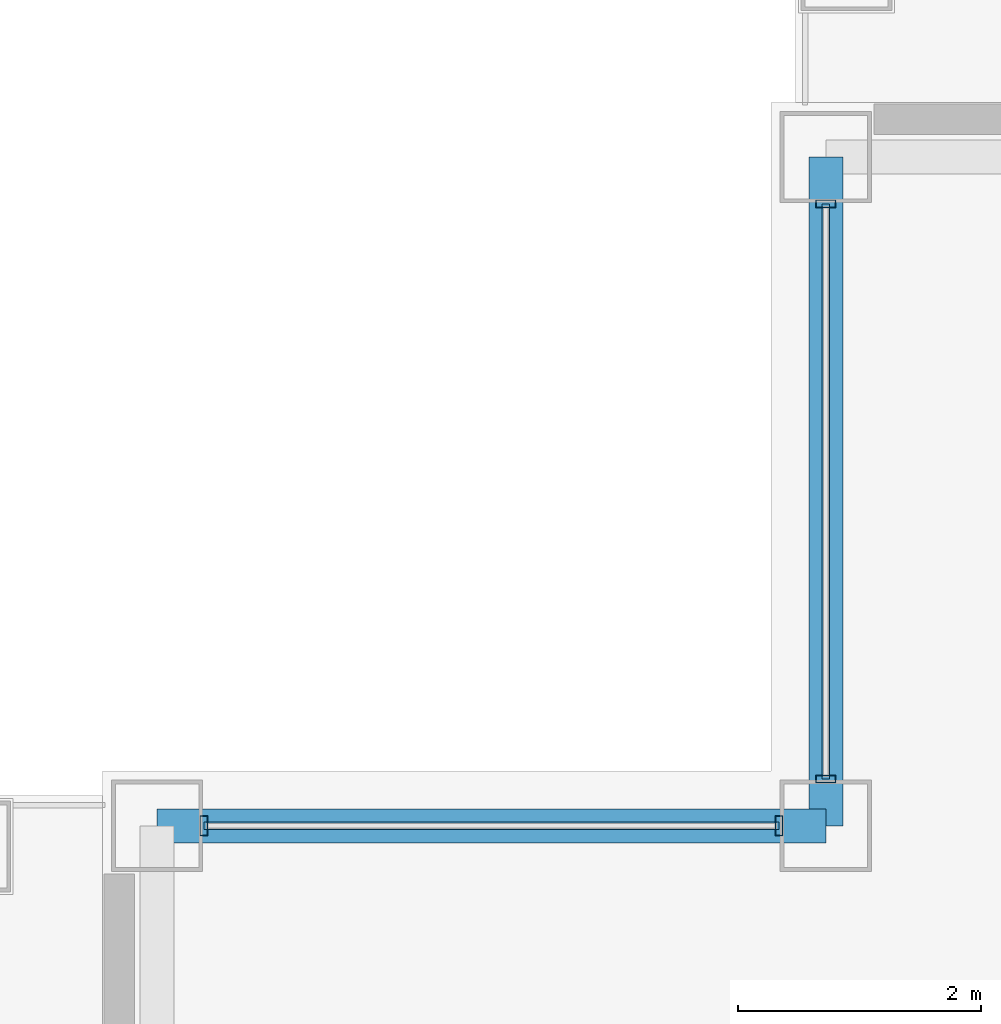
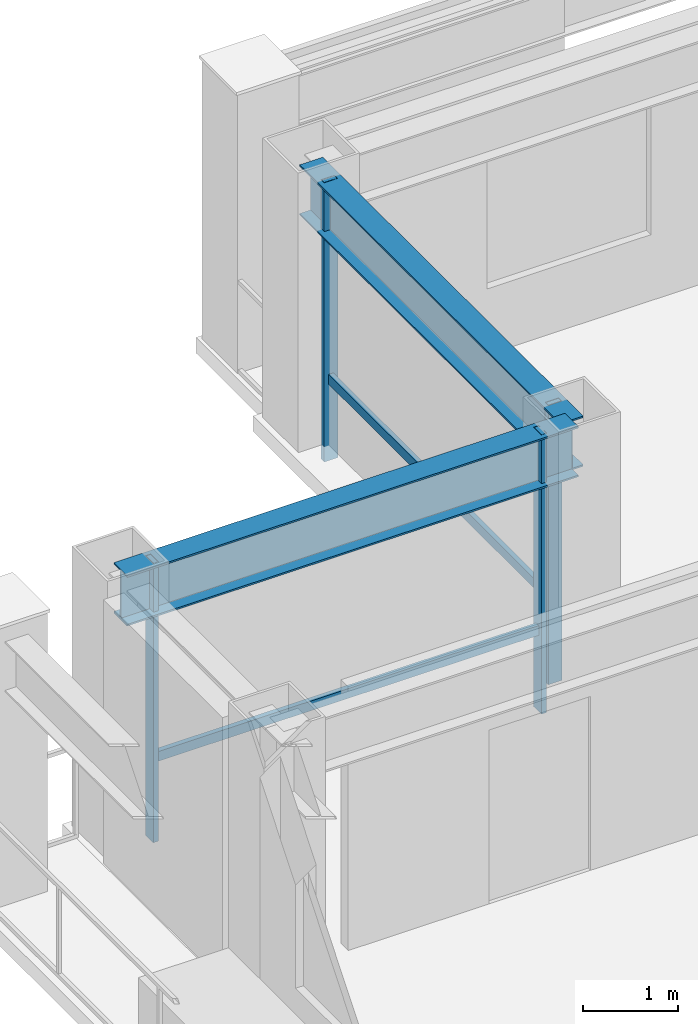
# One storey, part 18 of 27: 6 members, 2 beams, 2 elements without a shape of their own.
"""IFC4 building model written with IfcOpenShell, lengths in metres."""

from ifc_helpers import new_model, si_unit, direction, frame, origin, origin_2d, place, context, subcontext, project, spatial, hollow_rectangle, i_section, extrude, material, layer, layer_set, material_profile, profile_set, type_object, element, aggregate, save


model = new_model("IFC4")

# Units and contexts
model_context = context("Model", 3, precision=1e-05, world=origin(), true_north=direction((0.0, 1.0)))
body_context = subcontext(model_context, "Body", "Model", "MODEL_VIEW")
ifc_project = project(units=[si_unit("LENGTHUNIT", "METRE"), si_unit("AREAUNIT", "SQUARE_METRE"), si_unit("VOLUMEUNIT", "CUBIC_METRE"), si_unit("PLANEANGLEUNIT", "RADIAN"), si_unit("MASSUNIT", "GRAM", prefix="KILO")], contexts=[model_context])

# Site, building, storey
site_placement = place(None, origin())
site = spatial("IfcSite", under=ifc_project, at=site_placement, CompositionType="ELEMENT")
building_placement = place(site_placement, origin())
building = spatial("IfcBuilding", under=site, at=building_placement, Name="Brelmoor Portico Tower", CompositionType="ELEMENT")
storey_placement = place(building_placement, frame((0.0, 0.0, 158.699951171875)))
storey = spatial("IfcBuildingStorey", under=building, at=storey_placement, Name="L41", CompositionType="ELEMENT", Elevation=158.699951171875)

# Beams
ifc_material_1 = material(Name="Steel Q355B", Category="steel")
ifc_material_profile_1 = material_profile(ifc_material_1, i_section(OverallWidth=0.280029296875, OverallDepth=0.64990234375, WebThickness=0.012939453125, FlangeThickness=0.02197265625, at=origin_2d()), Name="HN 650x280x13x22")
ifc_profile_set_1 = profile_set([ifc_material_profile_1], Name="Steel Q355B")
beam_type = type_object("IfcBeamType", Name="BM-SP-650", PredefinedType="SPANDREL", material=ifc_profile_set_1)
for number, where, z_axis, x_axis, name in (
    (1, (-20.550048828125, 13.050048828125, 3.074951171875), (1.0, 0.0, 0.0), (0.0, 1.0, 0.0), "L41 Perimeter Spandrel Beam SP-06"),
    (2, (-15.050048828125, 13.050048828125, 3.074951171875), (0.0, 1.0, 0.0), (-1.0, 0.0, 0.0), "L41 Perimeter Spandrel Beam SP-15"),
):
    element("IfcBeam", number, at=place(storey_placement, frame(where, z_axis=z_axis, x_axis=x_axis)), inside=storey, type_object=beam_type, Name=name, PredefinedType="SPANDREL", context=body_context, shape_type="SweptSolid", body=[
        extrude(i_section(OverallWidth=0.280029296875, OverallDepth=0.64990234375, WebThickness=0.012939453125, FlangeThickness=0.02197265625, at=origin_2d()), origin(), (0.0, 0.0, 1.0), 5.5),
    ])

# Curtain wall, members
ifc_material_2 = material(Name="Anodised Aluminium Alloy 6063-T6", Category="aluminium")
ifc_layer = layer(ifc_material_2, 0.179931640625)
ifc_layer_set = layer_set([ifc_layer], Name="Anodised Aluminium Alloy 6063-T6")
curtain_wall_type = type_object("IfcCurtainWallType", Name="CW-NOTCH-CHAMFER", PredefinedType="NOTDEFINED", material=ifc_layer_set)
curtain_wall_1_placement = place(storey_placement, origin())
curtain_wall_1 = element("IfcCurtainWall", 3, at=curtain_wall_1_placement, inside=storey, type_object=curtain_wall_type, Name="L41 Curtain Wall CWN-L41-NWH", PredefinedType="NOTDEFINED")
ifc_material_profile_2 = material_profile(ifc_material_2, hollow_rectangle(XDim=0.06494140625, YDim=0.1650390625, WallThickness=0.00390625, at=origin_2d()), Name="ALU MULLION 65x165")
ifc_profile_set_2 = profile_set([ifc_material_profile_2], Name="Anodised Aluminium Alloy 6063-T6")
member_type_1 = type_object("IfcMemberType", Name="MB-CW-MULL-165", PredefinedType="MULLION", material=ifc_profile_set_2)
member_1_placement = place(storey_placement, frame((-20.1650390625, 13.050048828125, -0.199951171875), z_axis=(0.0, 0.0, 1.0), x_axis=(1.0, 0.0, 0.0)))
member_1 = element("IfcMember", 4, at=member_1_placement, type_object=member_type_1, Name="CWN-L41-NWH Mullion 00", PredefinedType="MULLION", context=body_context, shape_type="SweptSolid", body=[
    extrude(hollow_rectangle(XDim=0.06494140625, YDim=0.1650390625, WallThickness=0.00390625, at=origin_2d()), origin(), (0.0, 0.0, 1.0), 3.60009765625),
])
member_2_placement = place(storey_placement, frame((-15.43505859375, 13.050048828125, -0.199951171875), z_axis=(0.0, 0.0, 1.0), x_axis=(1.0, 0.0, 0.0)))
member_2 = element("IfcMember", 5, at=member_2_placement, type_object=member_type_1, Name="CWN-L41-NWH Mullion 01", PredefinedType="MULLION", context=body_context, shape_type="SweptSolid", body=[
    extrude(hollow_rectangle(XDim=0.06494140625, YDim=0.1650390625, WallThickness=0.00390625, at=origin_2d()), origin(), (0.0, 0.0, 1.0), 3.60009765625),
])

curtain_wall_2_placement = place(storey_placement, origin())
curtain_wall_2 = element("IfcCurtainWall", 6, at=curtain_wall_2_placement, inside=storey, type_object=curtain_wall_type, Name="L41 Curtain Wall CWN-L41-NWV", PredefinedType="NOTDEFINED")
member_3_placement = place(storey_placement, frame((-15.050048828125, 13.43505859375, -0.199951171875), z_axis=(0.0, 0.0, 1.0), x_axis=(0.0, 1.0, 0.0)))
member_3 = element("IfcMember", 7, at=member_3_placement, type_object=member_type_1, Name="CWN-L41-NWV Mullion 00", PredefinedType="MULLION", context=body_context, shape_type="SweptSolid", body=[
    extrude(hollow_rectangle(XDim=0.06494140625, YDim=0.1650390625, WallThickness=0.00390625, at=origin_2d()), origin(), (0.0, 0.0, 1.0), 3.60009765625),
])
member_4_placement = place(storey_placement, frame((-15.050048828125, 18.1650390625, -0.199951171875), z_axis=(0.0, 0.0, 1.0), x_axis=(0.0, 1.0, 0.0)))
member_4 = element("IfcMember", 8, at=member_4_placement, type_object=member_type_1, Name="CWN-L41-NWV Mullion 01", PredefinedType="MULLION", context=body_context, shape_type="SweptSolid", body=[
    extrude(hollow_rectangle(XDim=0.06494140625, YDim=0.1650390625, WallThickness=0.00390625, at=origin_2d()), origin(), (0.0, 0.0, 1.0), 3.60009765625),
])

# Member
ifc_material_profile_3 = material_profile(ifc_material_2, hollow_rectangle(XDim=0.06005859375, YDim=0.125, WallThickness=0.00341796875, at=origin_2d()), Name="ALU TRANSOM 60x125")
ifc_profile_set_3 = profile_set([ifc_material_profile_3], Name="Anodised Aluminium Alloy 6063-T6")
member_type_2 = type_object("IfcMemberType", Name="MB-CW-TRAN-125", PredefinedType="USERDEFINED", material=ifc_profile_set_3)
member_5_placement = place(storey_placement, frame((-20.1650390625, 13.050048828125, 0.85009765625), z_axis=(1.0, 0.0, 0.0), x_axis=(0.0, 1.0, 0.0)))
member_5 = element("IfcMember", 9, at=member_5_placement, type_object=member_type_2, Name="CWN-L41-NWH Transom 1-00", ObjectType="TRANSOM", PredefinedType="USERDEFINED", context=body_context, shape_type="SweptSolid", body=[
    extrude(hollow_rectangle(XDim=0.06005859375, YDim=0.125, WallThickness=0.00341796875, at=origin_2d()), origin(), (0.0, 0.0, 1.0), 4.72998046875),
])

aggregate(curtain_wall_1, [member_1, member_2, member_5])

member_6_placement = place(storey_placement, frame((-15.050048828125, 13.43505859375, 0.85009765625), z_axis=(0.0, 1.0, 0.0), x_axis=(-1.0, 0.0, 0.0)))
member_6 = element("IfcMember", 10, at=member_6_placement, type_object=member_type_2, Name="CWN-L41-NWV Transom 1-00", ObjectType="TRANSOM", PredefinedType="USERDEFINED", context=body_context, shape_type="SweptSolid", body=[
    extrude(hollow_rectangle(XDim=0.06005859375, YDim=0.125, WallThickness=0.00341796875, at=origin_2d()), origin(), (0.0, 0.0, 1.0), 4.72998046875),
])

aggregate(curtain_wall_2, [member_3, member_4, member_6])

save(model, "model.ifc")
